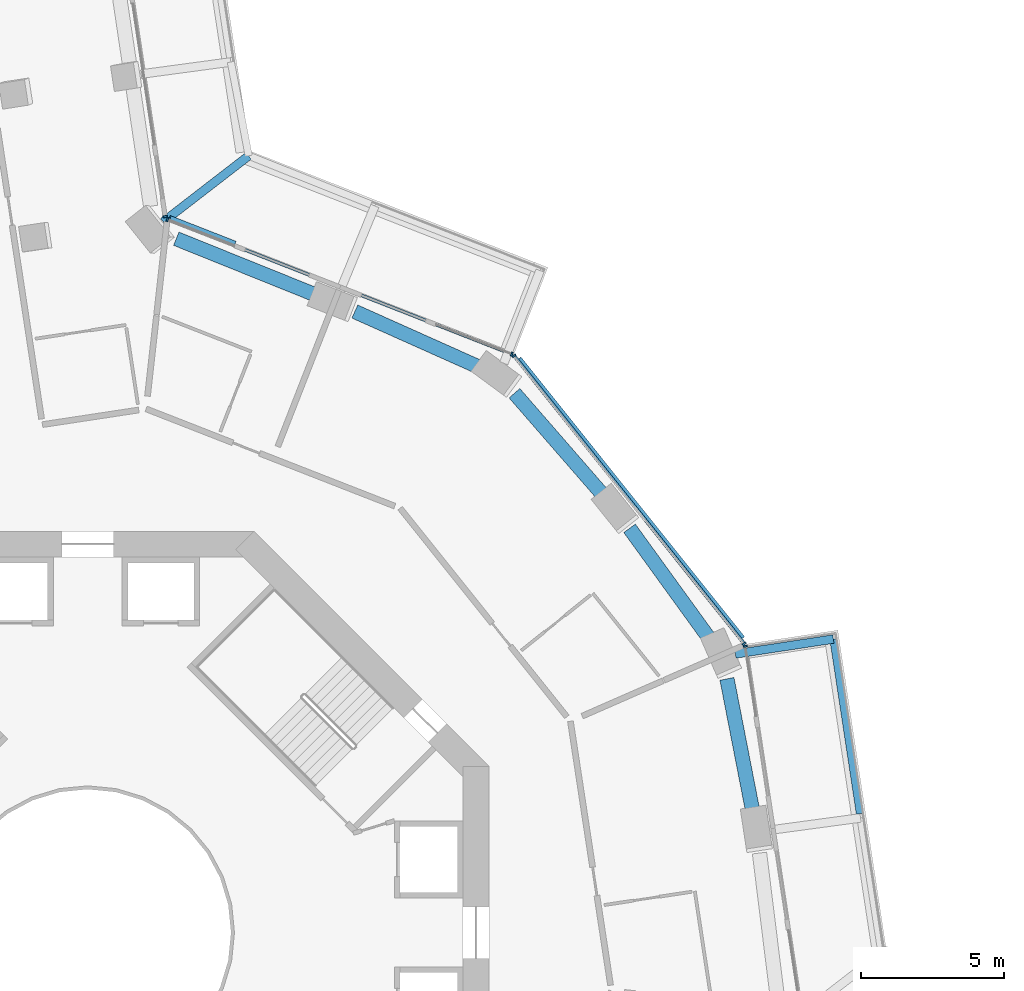
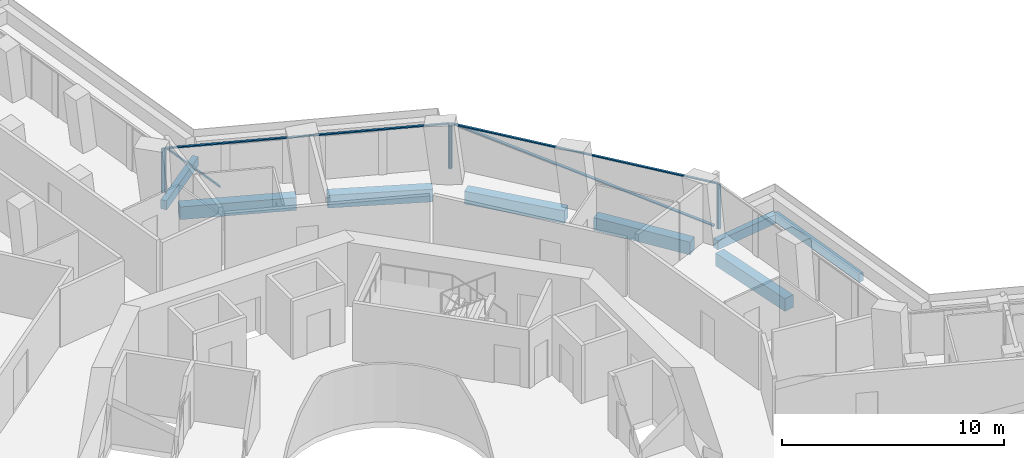
# One storey, part 9 of 28: 10 members, 8 beams, 4 elements without a shape of their own.
"""IFC4 building model written with IfcOpenShell, lengths in metres."""

from ifc_helpers import new_model, si_unit, direction, frame, origin, origin_2d, place, context, subcontext, project, spatial, rectangle, extrude, material, layer, layer_set, material_profile, profile_set, type_object, element, aggregate, save


model = new_model("IFC4")

# Units and contexts
model_context = context("Model", 3, precision=1e-05, world=origin(), true_north=direction((0.0, 1.0)))
body_context = subcontext(model_context, "Body", "Model", "MODEL_VIEW")
ifc_project = project(units=[si_unit("LENGTHUNIT", "METRE"), si_unit("AREAUNIT", "SQUARE_METRE"), si_unit("VOLUMEUNIT", "CUBIC_METRE"), si_unit("PLANEANGLEUNIT", "RADIAN"), si_unit("MASSUNIT", "GRAM", prefix="KILO")], contexts=[model_context])

# Site, building, storey
site_placement = place(None, origin())
site = spatial("IfcSite", under=ifc_project, at=site_placement, CompositionType="ELEMENT")
building_placement = place(site_placement, origin())
building = spatial("IfcBuilding", under=site, at=building_placement, Name="Verdalira Terraces Hotel", CompositionType="ELEMENT")
storey_placement = place(building_placement, frame((0.0, 0.0, 68.0)))
storey = spatial("IfcBuildingStorey", under=building, at=storey_placement, Name="L15", CompositionType="ELEMENT", Elevation=68.0)

# Beams
ifc_material_1 = material(Name="Concrete C40", Category="concrete")
ifc_material_profile_1 = material_profile(ifc_material_1, rectangle(XDim=0.300049, YDim=0.5, at=origin_2d()), Name="RC 300X500")
ifc_profile_set_1 = profile_set([ifc_material_profile_1], Name="Concrete C40")
beam_type_1 = type_object("IfcBeamType", Name="Balcony cantilever beam RC 300X500 C40", PredefinedType="BEAM", material=ifc_profile_set_1)
beam_1_placement = place(storey_placement, frame((22.597412, 9.721191, -0.560059), z_axis=(0.988653291, 0.150215412, 0.0), x_axis=(-0.150215412, 0.988653291, 0.0)))
element("IfcBeam", 1, at=beam_1_placement, inside=storey, type_object=beam_type_1, Name="Balcony cantilever beam R38-5", PredefinedType="BEAM", context=body_context, shape_type="SweptSolid", body=[
    extrude(rectangle(XDim=0.300049, YDim=0.5, at=origin_2d()), origin(), (0.0, 0.0, 1.0), 3.457031),
])
beam_2_placement = place(storey_placement, frame((2.633301, 24.79834, -0.560059), z_axis=(0.791457306, 0.611224454, 0.0), x_axis=(-0.611224454, 0.791457306, 0.0)))
element("IfcBeam", 2, at=beam_2_placement, inside=storey, type_object=beam_type_1, Name="Balcony cantilever beam R41-3", PredefinedType="BEAM", context=body_context, shape_type="SweptSolid", body=[
    extrude(rectangle(XDim=0.300049, YDim=0.5, at=origin_2d()), origin(), (0.0, 0.0, 1.0), 3.769775),
])
ifc_material_2 = material(Name="Concrete C40", Category="concrete")
ifc_material_profile_2 = material_profile(ifc_material_2, rectangle(XDim=0.25, YDim=0.449951, at=origin_2d()), Name="RC 250X450")
ifc_profile_set_2 = profile_set([ifc_material_profile_2], Name="Concrete C40")
beam_type_2 = type_object("IfcBeamType", Name="Balcony edge beam RC 250X450 C40", PredefinedType="BEAM", material=ifc_profile_set_2)
beam_3_placement = place(storey_placement, frame((26.940918, 4.148193, -0.534912), z_axis=(-0.150234914, 0.988650328, 0.0), x_axis=(-0.988650328, -0.150234914, 0.0)))
element("IfcBeam", 3, at=beam_3_placement, inside=storey, type_object=beam_type_2, Name="Balcony edge beam R38-4", PredefinedType="BEAM", context=body_context, shape_type="SweptSolid", body=[
    extrude(rectangle(XDim=0.25, YDim=0.449951, at=origin_2d()), origin(), (0.0, 0.0, 1.0), 6.162109),
])

# Curtain wall, member
ifc_material_3 = material(Name="Clear glass", Category="glass")
ifc_layer_1 = layer(ifc_material_3, 0.14990234375)
ifc_layer_set_1 = layer_set([ifc_layer_1], Name="CW1 curtain wall")
curtain_wall_type_1 = type_object("IfcCurtainWallType", Name="CW1 curtain wall", PredefinedType="NOTDEFINED", material=ifc_layer_set_1)
curtain_wall_1_placement = place(storey_placement, origin())
curtain_wall_1 = element("IfcCurtainWall", 4, at=curtain_wall_1_placement, inside=storey, type_object=curtain_wall_type_1, Name="CW1 curtain wall L15 edge 39", PredefinedType="NOTDEFINED")
ifc_material_4 = material(Name="Terracotta frame", Category="masonry")
ifc_material_profile_3 = material_profile(ifc_material_4, rectangle(XDim=0.060059, YDim=0.149902, at=origin_2d()), Name="MU 60x150")
ifc_profile_set_3 = profile_set([ifc_material_profile_3], Name="Terracotta frame")
member_type_1 = type_object("IfcMemberType", Name="CW1 mullion 60x150", PredefinedType="MULLION", material=ifc_profile_set_3)
member_1_placement = place(storey_placement, frame((22.942871, 9.989746, 0.0), z_axis=(0.0, 0.0, 1.0), x_axis=(-0.150225589, 0.988651745, 0.0)))
member_1 = element("IfcMember", 5, at=member_1_placement, type_object=member_type_1, Name="CW1 mullion", PredefinedType="MULLION", context=body_context, shape_type="SweptSolid", body=[
    extrude(rectangle(XDim=0.060059, YDim=0.149902, at=origin_2d()), origin(), (0.0, 0.0, 1.0), 2.425049),
])
aggregate(curtain_wall_1, [member_1])

# Curtain wall, members
curtain_wall_2_placement = place(storey_placement, origin())
curtain_wall_2 = element("IfcCurtainWall", 6, at=curtain_wall_2_placement, inside=storey, type_object=curtain_wall_type_1, Name="CW1 curtain wall L15 edge 40", PredefinedType="NOTDEFINED")
member_2_placement = place(storey_placement, frame((22.904053, 10.078369, 0.0), z_axis=(0.0, 0.0, 1.0), x_axis=(-0.624425049, 0.781084732, 0.0)))
member_2 = element("IfcMember", 7, at=member_2_placement, type_object=member_type_1, Name="CW1 mullion", PredefinedType="MULLION", context=body_context, shape_type="SweptSolid", body=[
    extrude(rectangle(XDim=0.060059, YDim=0.149902, at=origin_2d()), origin(), (0.0, 0.0, 1.0), 2.425049),
])
member_3_placement = place(storey_placement, frame((14.874268, 20.122803, 0.0), z_axis=(0.0, 0.0, 1.0), x_axis=(-0.624425049, 0.781084732, 0.0)))
member_3 = element("IfcMember", 8, at=member_3_placement, type_object=member_type_1, Name="CW1 mullion", PredefinedType="MULLION", context=body_context, shape_type="SweptSolid", body=[
    extrude(rectangle(XDim=0.060059, YDim=0.149902, at=origin_2d()), origin(), (0.0, 0.0, 1.0), 2.425049),
])

curtain_wall_3_placement = place(storey_placement, origin())
curtain_wall_3 = element("IfcCurtainWall", 9, at=curtain_wall_3_placement, inside=storey, type_object=curtain_wall_type_1, Name="CW1 curtain wall L15 edge 41", PredefinedType="NOTDEFINED")
member_4_placement = place(storey_placement, frame((14.796387, 20.180176, 0.0), z_axis=(0.0, 0.0, 1.0), x_axis=(-0.931310321, 0.364226696, 0.0)))
member_4 = element("IfcMember", 10, at=member_4_placement, type_object=member_type_1, Name="CW1 mullion", PredefinedType="MULLION", context=body_context, shape_type="SweptSolid", body=[
    extrude(rectangle(XDim=0.060059, YDim=0.149902, at=origin_2d()), origin(), (0.0, 0.0, 1.0), 2.425049),
])
member_5_placement = place(storey_placement, frame((2.782715, 24.878662, 0.0), z_axis=(0.0, 0.0, 1.0), x_axis=(-0.931310321, 0.364226696, 0.0)))
member_5 = element("IfcMember", 11, at=member_5_placement, type_object=member_type_1, Name="CW1 mullion", PredefinedType="MULLION", context=body_context, shape_type="SweptSolid", body=[
    extrude(rectangle(XDim=0.060059, YDim=0.149902, at=origin_2d()), origin(), (0.0, 0.0, 1.0), 2.425049),
])

# Member
ifc_material_5 = material(Name="Terracotta frame", Category="masonry")
ifc_material_profile_4 = material_profile(ifc_material_5, rectangle(XDim=0.110107, YDim=0.064941, at=origin_2d()), Name="TR 65x110")
ifc_profile_set_4 = profile_set([ifc_material_profile_4], Name="Terracotta frame")
member_type_2 = type_object("IfcMemberType", Name="CW1 transom 65x110", PredefinedType="USERDEFINED", material=ifc_profile_set_4)
member_6_placement = place(storey_placement, frame((22.922852, 10.054932, 2.45752), z_axis=(-0.62442769, 0.781082621, 0.0), x_axis=(-0.781082621, -0.62442769, 0.0)))
member_6 = element("IfcMember", 12, at=member_6_placement, type_object=member_type_2, Name="CW1 transom", ObjectType="TRANSOM", PredefinedType="USERDEFINED", context=body_context, shape_type="SweptSolid", body=[
    extrude(rectangle(XDim=0.110107, YDim=0.064941, at=origin_2d()), origin(), (0.0, 0.0, 1.0), 12.919678),
])

member_7_placement = place(storey_placement, frame((14.824219, 20.169434, 2.45752), z_axis=(-0.931312526, 0.364221057, 0.0), x_axis=(-0.364221057, -0.931312526, 0.0)))
member_7 = element("IfcMember", 13, at=member_7_placement, type_object=member_type_2, Name="CW1 transom", ObjectType="TRANSOM", PredefinedType="USERDEFINED", context=body_context, shape_type="SweptSolid", body=[
    extrude(rectangle(XDim=0.110107, YDim=0.064941, at=origin_2d()), origin(), (0.0, 0.0, 1.0), 12.959717),
])

# Curtain wall, member
ifc_material_6 = material(Name="Clear glass", Category="glass")
ifc_layer_2 = layer(ifc_material_6, 0.14990234375)
ifc_layer_set_2 = layer_set([ifc_layer_2], Name="CW2 curtain wall")
curtain_wall_type_2 = type_object("IfcCurtainWallType", Name="CW2 curtain wall", PredefinedType="NOTDEFINED", material=ifc_layer_set_2)
curtain_wall_4_placement = place(storey_placement, origin())
curtain_wall_4 = element("IfcCurtainWall", 14, at=curtain_wall_4_placement, inside=storey, type_object=curtain_wall_type_2, Name="CW2 curtain wall L15 edge 0", PredefinedType="NOTDEFINED")
ifc_material_7 = material(Name="Terracotta frame", Category="masonry")
ifc_material_profile_5 = material_profile(ifc_material_7, rectangle(XDim=0.070068, YDim=0.149902, at=origin_2d()), Name="MU 70x150")
ifc_profile_set_5 = profile_set([ifc_material_profile_5], Name="Terracotta frame")
member_type_3 = type_object("IfcMemberType", Name="CW2 mullion 70x150", PredefinedType="MULLION", material=ifc_profile_set_5)
member_8_placement = place(storey_placement, frame((2.702637, 24.98291, 0.0), z_axis=(0.0, 0.0, 1.0), x_axis=(-0.150225589, 0.988651745, 0.0)))
member_8 = element("IfcMember", 15, at=member_8_placement, type_object=member_type_3, Name="CW2 mullion", PredefinedType="MULLION", context=body_context, shape_type="SweptSolid", body=[
    extrude(rectangle(XDim=0.070068, YDim=0.149902, at=origin_2d()), origin(), (0.0, 0.0, 1.0), 2.425049),
])
aggregate(curtain_wall_4, [member_8])

# Member
ifc_material_8 = material(Name="Terracotta frame", Category="masonry")
ifc_material_profile_6 = material_profile(ifc_material_8, rectangle(XDim=0.149902, YDim=0.060059, at=origin_2d()), Name="GB 60x150")
ifc_profile_set_6 = profile_set([ifc_material_profile_6], Name="Terracotta frame")
member_type_4 = type_object("IfcMemberType", Name="Diagonal glazing bar 60x150", PredefinedType="USERDEFINED", material=ifc_profile_set_6)
member_9_placement = place(storey_placement, frame((22.856689, 10.280518, 0.029785), z_axis=(-0.613510129, 0.767430446, 0.186160773), x_axis=(-0.78108435, -0.624425527, 0.0)))
member_9 = element("IfcMember", 16, at=member_9_placement, type_object=member_type_4, Name="Diagonal glazing bar", ObjectType="GLAZING BAR", PredefinedType="USERDEFINED", context=body_context, shape_type="SweptSolid", body=[
    extrude(rectangle(XDim=0.149902, YDim=0.060059, at=origin_2d()), origin(), (0.0, 0.0, 1.0), 12.706543),
])

aggregate(curtain_wall_2, [member_2, member_3, member_6, member_9])

member_10_placement = place(storey_placement, frame((5.130371, 24.056152, 0.022949), z_axis=(-0.665831036, 0.260377245, 0.699194337), x_axis=(-0.364198789, -0.931321235, 0.0)))
member_10 = element("IfcMember", 17, at=member_10_placement, type_object=member_type_4, Name="Diagonal glazing bar", ObjectType="GLAZING BAR", PredefinedType="USERDEFINED", context=body_context, shape_type="SweptSolid", body=[
    extrude(rectangle(XDim=0.149902, YDim=0.060059, at=origin_2d()), origin(), (0.0, 0.0, 1.0), 3.402588),
])

aggregate(curtain_wall_3, [member_4, member_5, member_7, member_10])

# Beams
ifc_material_9 = material(Name="Concrete C70", Category="concrete")
ifc_material_profile_7 = material_profile(ifc_material_9, rectangle(XDim=0.5, YDim=0.699951, at=origin_2d()), Name="RC 500X700")
ifc_profile_set_7 = profile_set([ifc_material_profile_7], Name="Concrete C70")
beam_type_3 = type_object("IfcBeamType", Name="Spandrel beam RC 500X700 C70", PredefinedType="SPANDREL", material=ifc_profile_set_7)
beam_4_placement = place(storey_placement, frame((23.212402, 4.184326, -0.659912), z_axis=(-0.191236536, 0.981543981, 0.0), x_axis=(-0.981543981, -0.191236536, 0.0)))
element("IfcBeam", 18, at=beam_4_placement, inside=storey, type_object=beam_type_3, Name="Spandrel beam B31", PredefinedType="SPANDREL", context=body_context, shape_type="SweptSolid", body=[
    extrude(rectangle(XDim=0.5, YDim=0.699951, at=origin_2d()), origin(), (0.0, 0.0, 1.0), 4.755371),
])
beam_5_placement = place(storey_placement, frame((21.69458, 10.249512, -0.659912), z_axis=(-0.586278849, 0.81010932, 0.0), x_axis=(-0.81010932, -0.586278849, 0.0)))
element("IfcBeam", 19, at=beam_5_placement, inside=storey, type_object=beam_type_3, Name="Spandrel beam B32", PredefinedType="SPANDREL", context=body_context, shape_type="SweptSolid", body=[
    extrude(rectangle(XDim=0.5, YDim=0.699951, at=origin_2d()), origin(), (0.0, 0.0, 1.0), 4.758789),
])
beam_6_placement = place(storey_placement, frame((18.010254, 15.22998, -0.659912), z_axis=(-0.656375706, 0.754434181, 0.0), x_axis=(-0.754434181, -0.656375706, 0.0)))
element("IfcBeam", 20, at=beam_6_placement, inside=storey, type_object=beam_type_3, Name="Spandrel beam B33", PredefinedType="SPANDREL", context=body_context, shape_type="SweptSolid", body=[
    extrude(rectangle(XDim=0.5, YDim=0.699951, at=origin_2d()), origin(), (0.0, 0.0, 1.0), 4.755371),
])
beam_7_placement = place(storey_placement, frame((13.66333, 19.723877, -0.659912), z_axis=(-0.912791074, 0.408426806, 0.0), x_axis=(-0.408426806, -0.912791074, 0.0)))
element("IfcBeam", 21, at=beam_7_placement, inside=storey, type_object=beam_type_3, Name="Spandrel beam B34", PredefinedType="SPANDREL", context=body_context, shape_type="SweptSolid", body=[
    extrude(rectangle(XDim=0.5, YDim=0.699951, at=origin_2d()), origin(), (0.0, 0.0, 1.0), 4.758789),
])
beam_8_placement = place(storey_placement, frame((8.016113, 22.22168, -0.659912), z_axis=(-0.927443015, 0.37396451, 0.0), x_axis=(-0.37396451, -0.927443015, 0.0)))
element("IfcBeam", 22, at=beam_8_placement, inside=storey, type_object=beam_type_3, Name="Spandrel beam B35", PredefinedType="SPANDREL", context=body_context, shape_type="SweptSolid", body=[
    extrude(rectangle(XDim=0.5, YDim=0.699951, at=origin_2d()), origin(), (0.0, 0.0, 1.0), 5.312256),
])

save(model, "model.ifc")
